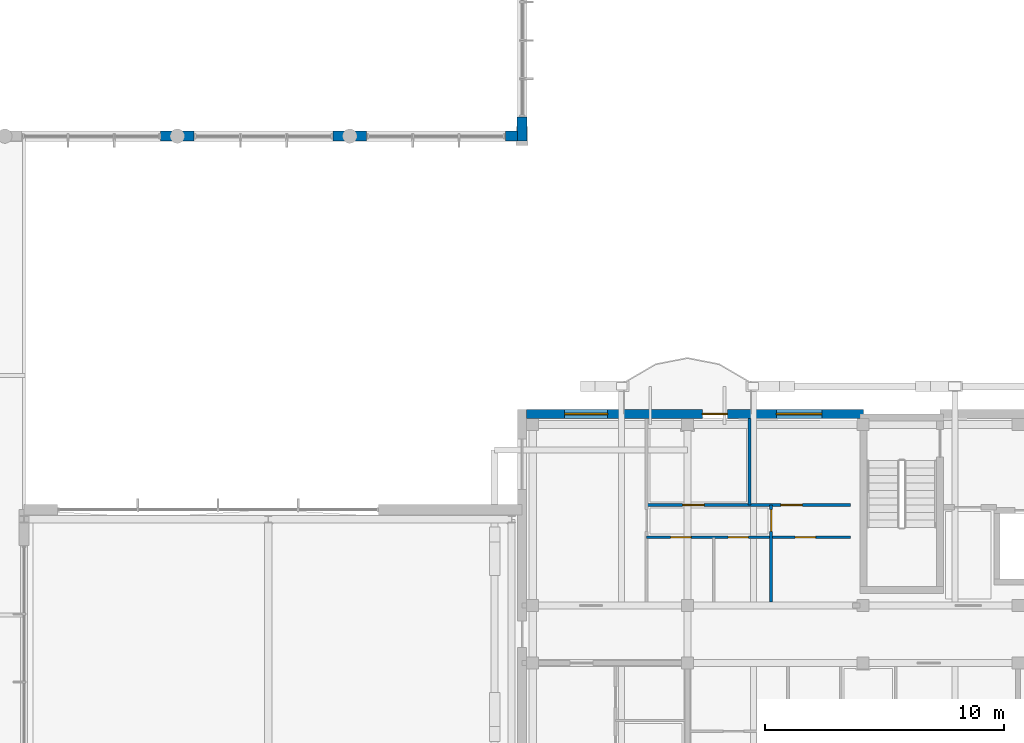
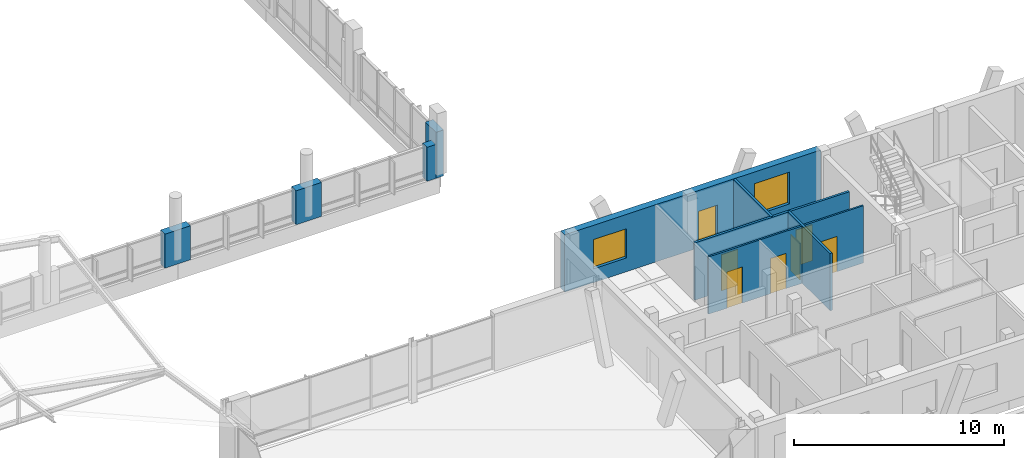
# One storey, part 148 of 189: 9 walls, 7 doors, 2 windows, 9 openings.
"""IFC4 building model written with IfcOpenShell, lengths in metres."""

from ifc_helpers import new_model, si_unit, direction, frame, frame_2d, origin, origin_with_axes, place, context, subcontext, project, spatial, rectangle, extrude, material, layer, layer_set, type_object, element, fill, save


model = new_model("IFC4")

# Units and contexts
model_context = context("Model", 3, precision=1e-05, world=origin(), true_north=direction((0.0, 1.0)))
body_context = subcontext(model_context, "Body", "Model", "MODEL_VIEW")
ifc_project = project(units=[si_unit("LENGTHUNIT", "METRE"), si_unit("AREAUNIT", "SQUARE_METRE"), si_unit("VOLUMEUNIT", "CUBIC_METRE"), si_unit("PLANEANGLEUNIT", "RADIAN"), si_unit("MASSUNIT", "GRAM", prefix="KILO")], contexts=[model_context])

# Site, building, storey
site_placement = place(None, origin())
site = spatial("IfcSite", under=ifc_project, at=site_placement, CompositionType="ELEMENT")
building_placement = place(site_placement, origin())
building = spatial("IfcBuilding", under=site, at=building_placement, Name="Zavelmont Quarter", CompositionType="ELEMENT")
storey_placement = place(building_placement, frame((0.0, 0.0, 4.39990234375)))
storey = spatial("IfcBuildingStorey", under=building, at=storey_placement, Name="L01", CompositionType="ELEMENT", Elevation=4.39990234375)

# Wall, openings, door, windows
ifc_material_1 = material(Name="Natural Belgian limestone", Category="masonry")
ifc_layer_1 = layer(ifc_material_1, 0.3798828125)
ifc_layer_set_1 = layer_set([ifc_layer_1], Name="Natural Belgian limestone")
wall_type_1 = type_object("IfcWallType", Name="EW01", PredefinedType="STANDARD", material=ifc_layer_set_1)
wall_1_placement = place(storey_placement, frame((112.97998046875, 18.39990234375, 0.0), z_axis=(0.0, 0.0, 1.0), x_axis=(1.0, 0.0, 0.0)))
wall_1 = element("IfcWall", 1, at=wall_1_placement, inside=storey, type_object=wall_type_1, Name="L01 exterior limestone wall EW01", PredefinedType="STANDARD", context=body_context, shape_type="SweptSolid", body=[
    extrude(rectangle(XDim=14.070068359375, YDim=0.3798828125, at=frame_2d((7.03515625, 0.0))), origin(), (0.0, 0.0, 1.0), 3.330078125),
])
opening_1_placement = place(wall_1_placement, frame((7.340087890625, 0.0, 0.0)))
opening_1 = element("IfcOpeningElement", 2, at=opening_1_placement, cuts=wall_1, Name="Opening DR04A", PredefinedType="OPENING", context=body_context, shape_type="SweptSolid", body=[
    extrude(rectangle(XDim=1.050048828125, YDim=2.1201171875, at=frame_2d((0.52490234375, 1.06005859375))), frame((0.0, 0.201904296875, 0.0), z_axis=(0.0, -1.0, 0.0), x_axis=(1.0, 0.0, 0.0)), (0.0, 0.0, 1.0), 0.40380859375),
])
opening_2_placement = place(wall_1_placement, frame((1.590087890625, 0.0, 0.800048828125)))
opening_2 = element("IfcOpeningElement", 3, at=opening_2_placement, cuts=wall_1, Name="Opening WN02", PredefinedType="OPENING", context=body_context, shape_type="SweptSolid", body=[
    extrude(rectangle(XDim=1.800048828125, YDim=1.699951171875, at=frame_2d((0.89990234375, 0.85009765625))), frame((0.0, 0.201904296875, 0.0), z_axis=(0.0, -1.0, 0.0), x_axis=(1.0, 0.0, 0.0)), (0.0, 0.0, 1.0), 0.40380859375),
])
opening_3_placement = place(wall_1_placement, frame((10.43994140625, 0.0, 0.800048828125)))
opening_3 = element("IfcOpeningElement", 4, at=opening_3_placement, cuts=wall_1, Name="Opening WN20", PredefinedType="OPENING", context=body_context, shape_type="SweptSolid", body=[
    extrude(rectangle(XDim=1.89990234375, YDim=1.85009765625, at=frame_2d((0.949951171875, 0.925048828125))), frame((0.0, 0.201904296875, 0.0), z_axis=(0.0, -1.0, 0.0), x_axis=(1.0, 0.0, 0.0)), (0.0, 0.0, 1.0), 0.40380859375),
])
ifc_material_2 = material(Name="Thermally broken aluminium and double safety glass", Category="aluminium")
door_type_1 = type_object("IfcDoorType", Name="DR04A", OperationType="NOTDEFINED", PredefinedType="DOOR", material=ifc_material_2)
door_1_placement = place(opening_1_placement, frame((1.050048828125, 0.0, 0.0), z_axis=(0.0, 0.0, 1.0), x_axis=(-1.0, 0.0, 0.0)))
door_1 = element("IfcDoor", 5, at=door_1_placement, inside=storey, type_object=door_type_1, Name="Block D L01 glazed balcony door", OperationType="SINGLE_SWING_RIGHT", OverallHeight=2.1201171875, OverallWidth=1.050048828125, PredefinedType="DOOR", context=body_context, shape_type="SweptSolid", body=[
    extrude(rectangle(XDim=1.050048828125, YDim=2.1201171875, at=frame_2d((0.52490234375, 1.06005859375))), frame((0.0, 0.02490234375, 0.0), z_axis=(0.0, -1.0, 0.0), x_axis=(1.0, 0.0, 0.0)), (0.0, 0.0, 1.0), 0.050048828125),
])
fill(opening_1, door_1)
ifc_material_3 = material(Name="Double low-E insulated glazing in thermally broken aluminium frame", Category="aluminium")
window_type_1 = type_object("IfcWindowType", Name="WN02", PartitioningType="SINGLE_PANEL", PredefinedType="WINDOW", material=ifc_material_3)
window_1_placement = place(opening_2_placement, origin_with_axes())
window_1 = element("IfcWindow", 6, at=window_1_placement, inside=storey, type_object=window_type_1, Name="L01 window WN02", OverallHeight=1.699951171875, OverallWidth=1.800048828125, PartitioningType="SINGLE_PANEL", PredefinedType="WINDOW", context=body_context, shape_type="SweptSolid", body=[
    extrude(rectangle(XDim=1.800048828125, YDim=1.699951171875, at=frame_2d((0.89990234375, 0.85009765625))), frame((0.0, 0.030029296875, 0.0), z_axis=(0.0, -1.0, 0.0), x_axis=(1.0, 0.0, 0.0)), (0.0, 0.0, 1.0), 0.06005859375),
])
fill(opening_2, window_1)
window_type_2 = type_object("IfcWindowType", Name="WN20", PartitioningType="SINGLE_PANEL", PredefinedType="WINDOW", material=ifc_material_3)
window_2_placement = place(opening_3_placement, origin_with_axes())
window_2 = element("IfcWindow", 7, at=window_2_placement, inside=storey, type_object=window_type_2, Name="L01 window WN20", OverallHeight=1.85009765625, OverallWidth=1.89990234375, PartitioningType="SINGLE_PANEL", PredefinedType="WINDOW", context=body_context, shape_type="SweptSolid", body=[
    extrude(rectangle(XDim=1.89990234375, YDim=1.85009765625, at=frame_2d((0.949951171875, 0.925048828125))), frame((0.0, 0.030029296875, 0.0), z_axis=(0.0, -1.0, 0.0), x_axis=(1.0, 0.0, 0.0)), (0.0, 0.0, 1.0), 0.06005859375),
])
fill(opening_3, window_2)

# Walls
ifc_layer_2 = layer(ifc_material_1, 0.419921875)
ifc_layer_set_2 = layer_set([ifc_layer_2], Name="Natural Belgian limestone")
wall_type_2 = type_object("IfcWallType", Name="EW04", PredefinedType="STANDARD", material=ifc_layer_set_2)
wall_2_placement = place(storey_placement, frame((112.800048828125, 29.7900390625, -0.27978515625), z_axis=(0.0, 0.0, 1.0), x_axis=(0.0, 1.0, 0.0)))
element("IfcWall", 8, at=wall_2_placement, inside=storey, type_object=wall_type_2, Name="L01 exterior limestone wall EW04", PredefinedType="STANDARD", context=body_context, shape_type="SweptSolid", body=[
    extrude(rectangle(XDim=1.010009765625, YDim=0.419921875, at=frame_2d((0.5048828125, 0.0))), origin(), (0.0, 0.0, 1.0), 2.6748046875),
])
for number, where, z_axis, x_axis, name in (
    (9, (97.699951171875, 30.0, -0.27978515625), (0.0, 0.0, 1.0), (1.0, 0.0, 0.0), "L01 exterior limestone wall EW04"),
    (10, (104.89990234375, 30.0, -0.27978515625), (0.0, 0.0, 1.0), (1.0, 0.0, 0.0), "L01 exterior limestone wall EW04"),
):
    element("IfcWall", number, at=place(storey_placement, frame(where, z_axis=z_axis, x_axis=x_axis)), inside=storey, type_object=wall_type_2, Name=name, PredefinedType="STANDARD", context=body_context, shape_type="SweptSolid", body=[
        extrude(rectangle(XDim=1.400146484375, YDim=0.419921875, at=frame_2d((0.7001953125, 0.0))), origin(), (0.0, 0.0, 1.0), 1.974853515625),
    ])
wall_3_placement = place(storey_placement, frame((112.10009765625, 30.0, -0.27978515625), z_axis=(0.0, 0.0, 1.0), x_axis=(1.0, 0.0, 0.0)))
element("IfcWall", 11, at=wall_3_placement, inside=storey, type_object=wall_type_2, Name="L01 exterior limestone wall EW04", PredefinedType="STANDARD", context=body_context, shape_type="SweptSolid", body=[
    extrude(rectangle(XDim=0.5, YDim=0.419921875, at=frame_2d((0.25, 0.0))), origin(), (0.0, 0.0, 1.0), 1.974853515625),
])

# Wall, opening, door
ifc_material_4 = material(Name="Double gypsum board on acoustic steel stud", Category="steel")
ifc_layer_3 = layer(ifc_material_4, 0.125)
ifc_layer_set_3 = layer_set([ifc_layer_3], Name="Double gypsum board on acoustic steel stud")
wall_type_3 = type_object("IfcWallType", Name="IW03", PredefinedType="PARTITIONING", material=ifc_layer_set_3)
wall_4_placement = place(storey_placement, frame((123.199951171875, 10.550048828125, 0.0), z_axis=(0.0, 0.0, 1.0), x_axis=(0.0, 1.0, 0.0)))
wall_4 = element("IfcWall", 12, at=wall_4_placement, inside=storey, type_object=wall_type_3, Name="L01 Partition IW03", PredefinedType="PARTITIONING", context=body_context, shape_type="SweptSolid", body=[
    extrude(rectangle(XDim=4.050048828125, YDim=0.125, at=frame_2d((2.02490234375, 0.0))), origin(), (0.0, 0.0, 1.0), 3.330078125),
])
opening_4_placement = place(wall_4_placement, frame((2.949951171875, 0.0, 0.0)))
opening_4 = element("IfcOpeningElement", 13, at=opening_4_placement, cuts=wall_4, Name="Opening DR05", PredefinedType="OPENING", context=body_context, shape_type="SweptSolid", body=[
    extrude(rectangle(XDim=0.89990234375, YDim=2.10009765625, at=frame_2d((0.449951171875, 1.050048828125))), frame((0.0, 0.074462890625, 0.0), z_axis=(0.0, -1.0, 0.0), x_axis=(1.0, 0.0, 0.0)), (0.0, 0.0, 1.0), 0.14892578125),
])
ifc_material_5 = material(Name="Engineered oak flush interior door")
door_type_2 = type_object("IfcDoorType", Name="DR05", OperationType="NOTDEFINED", PredefinedType="DOOR", material=ifc_material_5)
door_2_placement = place(opening_4_placement, origin_with_axes())
door_2 = element("IfcDoor", 14, at=door_2_placement, inside=storey, type_object=door_type_2, Name="L01 door DR05", OperationType="SINGLE_SWING_RIGHT", OverallHeight=2.10009765625, OverallWidth=0.89990234375, PredefinedType="DOOR", context=body_context, shape_type="SweptSolid", body=[
    extrude(rectangle(XDim=0.89990234375, YDim=2.10009765625, at=frame_2d((0.449951171875, 1.050048828125))), frame((0.0, 0.02490234375, 0.0), z_axis=(0.0, -1.0, 0.0), x_axis=(1.0, 0.0, 0.0)), (0.0, 0.0, 1.0), 0.050048828125),
])
fill(opening_4, door_2)

# Wall
wall_5_placement = place(storey_placement, frame((122.300048828125, 14.60009765625, 0.0), z_axis=(0.0, 0.0, 1.0), x_axis=(0.0, 1.0, 0.0)))
element("IfcWall", 15, at=wall_5_placement, inside=storey, type_object=wall_type_3, Name="L01 Partition IW03", PredefinedType="PARTITIONING", context=body_context, shape_type="SweptSolid", body=[
    extrude(rectangle(XDim=3.599853515625, YDim=0.125, at=frame_2d((1.7998046875, 0.0))), origin(), (0.0, 0.0, 1.0), 3.330078125),
])

# Wall, openings, doors
wall_6_placement = place(storey_placement, frame((118.0, 14.60009765625, 0.0), z_axis=(0.0, 0.0, 1.0), x_axis=(1.0, 0.0, 0.0)))
wall_6 = element("IfcWall", 16, at=wall_6_placement, inside=storey, type_object=wall_type_3, Name="L01 Partition IW03", PredefinedType="PARTITIONING", context=body_context, shape_type="SweptSolid", body=[
    extrude(rectangle(XDim=8.5, YDim=0.125, at=frame_2d((4.25, 0.0))), origin(), (0.0, 0.0, 1.0), 3.330078125),
])
opening_5_placement = place(wall_6_placement, frame((1.5, 0.0, 0.0)))
opening_5 = element("IfcOpeningElement", 17, at=opening_5_placement, cuts=wall_6, Name="Opening DR05", PredefinedType="OPENING", context=body_context, shape_type="SweptSolid", body=[
    extrude(rectangle(XDim=0.89990234375, YDim=2.10009765625, at=frame_2d((0.449951171875, 1.050048828125))), frame((0.0, 0.074462890625, 0.0), z_axis=(0.0, -1.0, 0.0), x_axis=(1.0, 0.0, 0.0)), (0.0, 0.0, 1.0), 0.14892578125),
])
opening_6_placement = place(wall_6_placement, frame((5.60009765625, 0.0, 0.0)))
opening_6 = element("IfcOpeningElement", 18, at=opening_6_placement, cuts=wall_6, Name="Opening DR05", PredefinedType="OPENING", context=body_context, shape_type="SweptSolid", body=[
    extrude(rectangle(XDim=0.89990234375, YDim=2.10009765625, at=frame_2d((0.449951171875, 1.050048828125))), frame((0.0, 0.074462890625, 0.0), z_axis=(0.0, -1.0, 0.0), x_axis=(1.0, 0.0, 0.0)), (0.0, 0.0, 1.0), 0.14892578125),
])
door_3_placement = place(opening_5_placement, origin_with_axes())
door_3 = element("IfcDoor", 19, at=door_3_placement, inside=storey, type_object=door_type_2, Name="L01 door DR05", OperationType="SINGLE_SWING_RIGHT", OverallHeight=2.10009765625, OverallWidth=0.89990234375, PredefinedType="DOOR", context=body_context, shape_type="SweptSolid", body=[
    extrude(rectangle(XDim=0.89990234375, YDim=2.10009765625, at=frame_2d((0.449951171875, 1.050048828125))), frame((0.0, 0.02490234375, 0.0), z_axis=(0.0, -1.0, 0.0), x_axis=(1.0, 0.0, 0.0)), (0.0, 0.0, 1.0), 0.050048828125),
])
fill(opening_5, door_3)
door_4_placement = place(opening_6_placement, frame((0.89990234375, 0.0, 0.0), z_axis=(0.0, 0.0, 1.0), x_axis=(-1.0, 0.0, 0.0)))
door_4 = element("IfcDoor", 20, at=door_4_placement, inside=storey, type_object=door_type_2, Name="L01 door DR05", OperationType="SINGLE_SWING_LEFT", OverallHeight=2.10009765625, OverallWidth=0.89990234375, PredefinedType="DOOR", context=body_context, shape_type="SweptSolid", body=[
    extrude(rectangle(XDim=0.89990234375, YDim=2.10009765625, at=frame_2d((0.449951171875, 1.050048828125))), frame((0.0, 0.02490234375, 0.0), z_axis=(0.0, -1.0, 0.0), x_axis=(1.0, 0.0, 0.0)), (0.0, 0.0, 1.0), 0.050048828125),
])
fill(opening_6, door_4)

ifc_material_6 = material(Name="Moisture-resistant gypsum board on steel stud", Category="steel")
ifc_layer_4 = layer(ifc_material_6, 0.10009765625)
ifc_layer_set_4 = layer_set([ifc_layer_4], Name="Moisture-resistant gypsum board on steel stud")
wall_type_4 = type_object("IfcWallType", Name="IW04", PredefinedType="PARTITIONING", material=ifc_layer_set_4)
wall_7_placement = place(storey_placement, frame((118.0, 13.25, 0.0), z_axis=(0.0, 0.0, 1.0), x_axis=(1.0, 0.0, 0.0)))
wall_7 = element("IfcWall", 21, at=wall_7_placement, inside=storey, type_object=wall_type_4, Name="L01 Partition IW04", PredefinedType="PARTITIONING", context=body_context, shape_type="SweptSolid", body=[
    extrude(rectangle(XDim=8.5, YDim=0.10009765625, at=frame_2d((4.25, 0.0))), origin(), (0.0, 0.0, 1.0), 3.330078125),
])
opening_7_placement = place(wall_7_placement, frame((1.0, 0.0, 0.0)))
opening_7 = element("IfcOpeningElement", 22, at=opening_7_placement, cuts=wall_7, Name="Opening DR16", PredefinedType="OPENING", context=body_context, shape_type="SweptSolid", body=[
    extrude(rectangle(XDim=0.85009765625, YDim=2.10009765625, at=frame_2d((0.425048828125, 1.050048828125))), frame((0.0, 0.06201171875, 0.0), z_axis=(0.0, -1.0, 0.0), x_axis=(1.0, 0.0, 0.0)), (0.0, 0.0, 1.0), 0.1240234375),
])
opening_8_placement = place(wall_7_placement, frame((3.39990234375, 0.0, 0.0)))
opening_8 = element("IfcOpeningElement", 23, at=opening_8_placement, cuts=wall_7, Name="Opening DR06", PredefinedType="OPENING", context=body_context, shape_type="SweptSolid", body=[
    extrude(rectangle(XDim=0.85009765625, YDim=2.050048828125, at=frame_2d((0.425048828125, 1.02490234375))), frame((0.0, 0.06201171875, 0.0), z_axis=(0.0, -1.0, 0.0), x_axis=(1.0, 0.0, 0.0)), (0.0, 0.0, 1.0), 0.1240234375),
])
opening_9_placement = place(wall_7_placement, frame((6.199951171875, 0.0, 0.0)))
opening_9 = element("IfcOpeningElement", 24, at=opening_9_placement, cuts=wall_7, Name="Opening DR06", PredefinedType="OPENING", context=body_context, shape_type="SweptSolid", body=[
    extrude(rectangle(XDim=0.85009765625, YDim=2.050048828125, at=frame_2d((0.425048828125, 1.02490234375))), frame((0.0, 0.06201171875, 0.0), z_axis=(0.0, -1.0, 0.0), x_axis=(1.0, 0.0, 0.0)), (0.0, 0.0, 1.0), 0.1240234375),
])
ifc_material_7 = material(Name="Moisture-resistant painted wet-room door")
door_type_3 = type_object("IfcDoorType", Name="DR06", OperationType="NOTDEFINED", PredefinedType="DOOR", material=ifc_material_7)
door_5_placement = place(opening_8_placement, origin_with_axes())
door_5 = element("IfcDoor", 25, at=door_5_placement, inside=storey, type_object=door_type_3, Name="L01 door DR06", OperationType="SINGLE_SWING_RIGHT", OverallHeight=2.050048828125, OverallWidth=0.85009765625, PredefinedType="DOOR", context=body_context, shape_type="SweptSolid", body=[
    extrude(rectangle(XDim=0.85009765625, YDim=2.050048828125, at=frame_2d((0.425048828125, 1.02490234375))), frame((0.0, 0.02490234375, 0.0), z_axis=(0.0, -1.0, 0.0), x_axis=(1.0, 0.0, 0.0)), (0.0, 0.0, 1.0), 0.050048828125),
])
fill(opening_8, door_5)
door_6_placement = place(opening_9_placement, frame((0.85009765625, 0.0, 0.0), z_axis=(0.0, 0.0, 1.0), x_axis=(-1.0, 0.0, 0.0)))
door_6 = element("IfcDoor", 26, at=door_6_placement, inside=storey, type_object=door_type_3, Name="L01 door DR06", OperationType="SINGLE_SWING_LEFT", OverallHeight=2.050048828125, OverallWidth=0.85009765625, PredefinedType="DOOR", context=body_context, shape_type="SweptSolid", body=[
    extrude(rectangle(XDim=0.85009765625, YDim=2.050048828125, at=frame_2d((0.425048828125, 1.02490234375))), frame((0.0, 0.02490234375, 0.0), z_axis=(0.0, -1.0, 0.0), x_axis=(1.0, 0.0, 0.0)), (0.0, 0.0, 1.0), 0.050048828125),
])
fill(opening_9, door_6)
door_type_4 = type_object("IfcDoorType", Name="DR16", OperationType="NOTDEFINED", PredefinedType="DOOR", material=ifc_material_5)
door_7_placement = place(opening_7_placement, frame((0.85009765625, 0.0, 0.0), z_axis=(0.0, 0.0, 1.0), x_axis=(-1.0, 0.0, 0.0)))
door_7 = element("IfcDoor", 27, at=door_7_placement, inside=storey, type_object=door_type_4, Name="L01 door DR16", OperationType="SINGLE_SWING_LEFT", OverallHeight=2.10009765625, OverallWidth=0.85009765625, PredefinedType="DOOR", context=body_context, shape_type="SweptSolid", body=[
    extrude(rectangle(XDim=0.85009765625, YDim=2.10009765625, at=frame_2d((0.425048828125, 1.050048828125))), frame((0.0, 0.02490234375, 0.0), z_axis=(0.0, -1.0, 0.0), x_axis=(1.0, 0.0, 0.0)), (0.0, 0.0, 1.0), 0.050048828125),
])
fill(opening_7, door_7)

save(model, "model.ifc")
